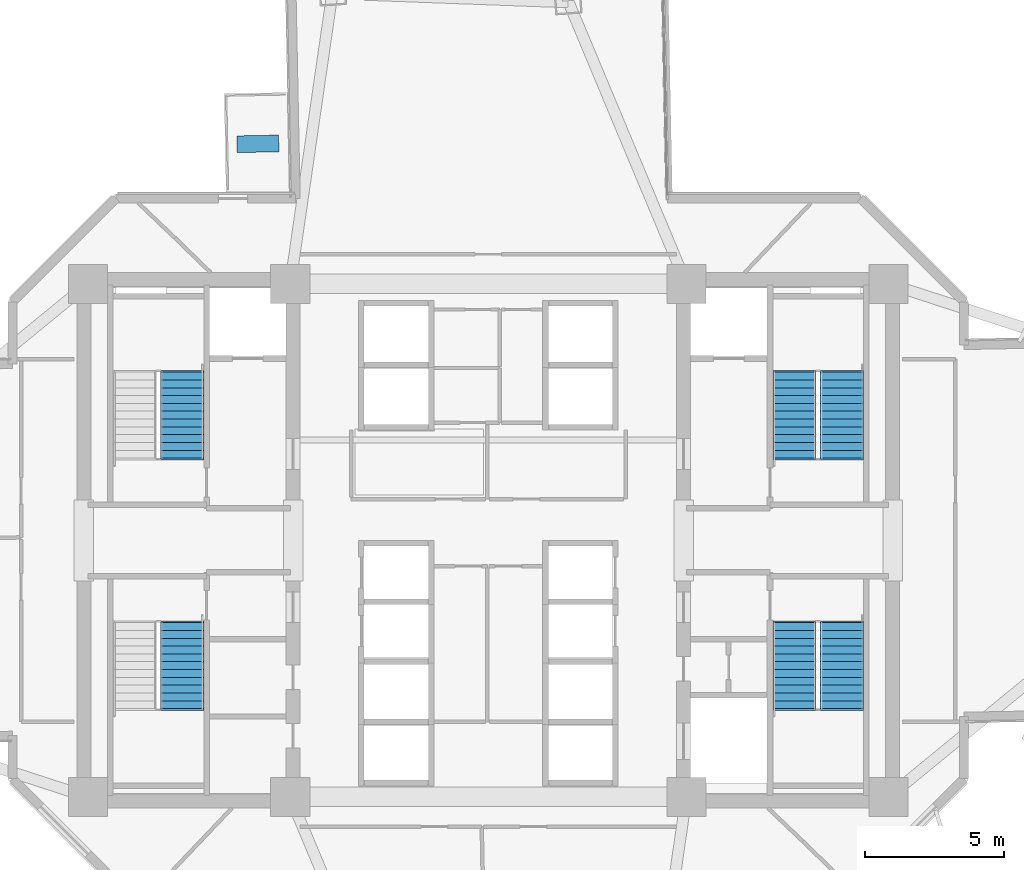
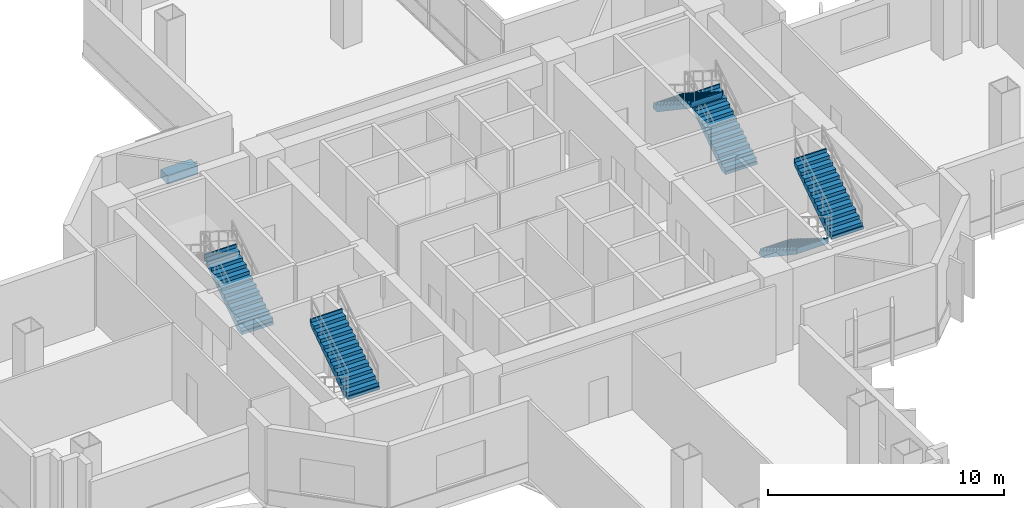
# One storey, part 10 of 15: 6 stair flights, 1 discrete accessory, 4 elements without a shape of their own.
"""IFC4 building model written with IfcOpenShell, lengths in metres."""

from ifc_helpers import new_model, si_unit, direction, frame, origin, origin_2d, place, context, subcontext, project, spatial, polyline, rectangle, outline, extrude, source, transform, mapped, material, type_object, element, aggregate, save


model = new_model("IFC4")

# Units and contexts
model_context = context("Model", 3, precision=1e-05, world=origin(), true_north=direction((0.0, 1.0)))
body_context = subcontext(model_context, "Body", "Model", "MODEL_VIEW")
ifc_project = project(units=[si_unit("LENGTHUNIT", "METRE"), si_unit("AREAUNIT", "SQUARE_METRE"), si_unit("VOLUMEUNIT", "CUBIC_METRE"), si_unit("PLANEANGLEUNIT", "RADIAN"), si_unit("MASSUNIT", "GRAM", prefix="KILO")], contexts=[model_context])

# Site, building, storey
site_placement = place(None, origin())
site = spatial("IfcSite", under=ifc_project, at=site_placement, CompositionType="ELEMENT")
building_placement = place(site_placement, origin())
building = spatial("IfcBuilding", under=site, at=building_placement, Name="Zahravan Cultural Tower", CompositionType="ELEMENT")
storey_placement = place(building_placement, frame((0.0, 0.0, 41.699951171875)))
storey = spatial("IfcBuildingStorey", under=building, at=storey_placement, Name="L08", CompositionType="ELEMENT", Elevation=41.699951171875)

# Stair, stair flight
ifc_material_1 = material(Name="Concrete C45/55", Category="concrete")
stair_type = type_object("IfcStairType", Name="STR-DL-1550-420", PredefinedType="HALF_TURN_STAIR", material=ifc_material_1)
stair_1_placement = place(storey_placement, origin())
stair_1 = element("IfcStair", 1, at=stair_1_placement, inside=storey, type_object=stair_type, Name="L08 West Core North Exit Stair ST-W1", PredefinedType="HALF_TURN_STAIR")
stair_flight_type = type_object("IfcStairFlightType", Name="FLG-DL-1550-420", PredefinedType="STRAIGHT", material=ifc_material_1)
stair_flight_1_placement = place(storey_placement, frame((25.02490234375, 29.949951171875, 0.0), z_axis=(0.0, 0.0, 1.0), x_axis=(0.0, 1.0, 0.0)))
stair_flight_1 = element("IfcStairFlight", 2, at=stair_flight_1_placement, type_object=stair_flight_type, Name="ST-W1 flight 1", NumberOfRisers=12, NumberOfTreads=11, PredefinedType="STRAIGHT", RiserHeight=0.175, TreadLength=0.28, context=body_context, shape_type="SweptSolid", body=[
    extrude(outline(polyline([(-0.06494140625, -0.139892578125), (-0.06494140625, 0.0), (0.0, 0.0), (0.0, 0.175048828125), (0.280029296875, 0.175048828125), (0.280029296875, 0.35009765625), (0.56005859375, 0.35009765625), (0.56005859375, 0.52490234375), (0.840087890625, 0.52490234375), (0.840087890625, 0.699951171875), (1.1201171875, 0.699951171875), (1.1201171875, 0.875), (1.39990234375, 0.875), (1.39990234375, 1.050048828125), (1.679931640625, 1.050048828125), (1.679931640625, 1.22509765625), (1.9599609375, 1.22509765625), (1.9599609375, 1.39990234375), (2.239990234375, 1.39990234375), (2.239990234375, 1.574951171875), (2.52001953125, 1.574951171875), (2.52001953125, 1.75), (2.800048828125, 1.75), (2.800048828125, 1.925048828125), (3.080078125, 1.925048828125), (3.080078125, 2.10009765625), (3.14501953125, 2.10009765625), (3.14501953125, 1.9501953125), (3.080078125, 1.748291015625), (0.28271484375, -0.139892578125), (-0.06494140625, -0.139892578125)])), frame((0.0, 0.77490234375, 0.0), z_axis=(0.0, -1.0, 0.0), x_axis=(1.0, 0.0, 0.0)), (0.0, 0.0, 1.0), 1.550048828125),
])
aggregate(stair_1, [stair_flight_1])

stair_2_placement = place(storey_placement, origin())
stair_2 = element("IfcStair", 3, at=stair_2_placement, inside=storey, type_object=stair_type, Name="L08 West Core South Exit Stair ST-W2", PredefinedType="HALF_TURN_STAIR")
stair_flight_2_placement = place(storey_placement, frame((25.02490234375, 20.969970703125, 2.10009765625), z_axis=(0.0, 0.0, 1.0), x_axis=(0.0, 1.0, 0.0)))
stair_flight_2 = element("IfcStairFlight", 4, at=stair_flight_2_placement, type_object=stair_flight_type, Name="ST-W2 flight 2", NumberOfRisers=12, NumberOfTreads=11, PredefinedType="STRAIGHT", RiserHeight=0.175, TreadLength=0.28, context=body_context, shape_type="SweptSolid", body=[
    extrude(outline(polyline([(-0.06494140625, -0.139892578125), (-0.06494140625, 0.0), (0.0, 0.0), (0.0, 0.175048828125), (0.280029296875, 0.175048828125), (0.280029296875, 0.35009765625), (0.56005859375, 0.35009765625), (0.56005859375, 0.52490234375), (0.840087890625, 0.52490234375), (0.840087890625, 0.699951171875), (1.1201171875, 0.699951171875), (1.1201171875, 0.875), (1.39990234375, 0.875), (1.39990234375, 1.050048828125), (1.679931640625, 1.050048828125), (1.679931640625, 1.22509765625), (1.9599609375, 1.22509765625), (1.9599609375, 1.39990234375), (2.239990234375, 1.39990234375), (2.239990234375, 1.574951171875), (2.52001953125, 1.574951171875), (2.52001953125, 1.75), (2.800048828125, 1.75), (2.800048828125, 1.925048828125), (3.080078125, 1.925048828125), (3.080078125, 2.10009765625), (3.14501953125, 2.10009765625), (3.14501953125, 1.9501953125), (3.080078125, 1.748291015625), (0.28271484375, -0.139892578125), (-0.06494140625, -0.139892578125)])), frame((0.0, 0.77490234375, 0.0), z_axis=(0.0, -1.0, 0.0), x_axis=(1.0, 0.0, 0.0)), (0.0, 0.0, 1.0), 1.550048828125),
])
aggregate(stair_2, [stair_flight_2])

# Stair, stair flights
stair_3_placement = place(storey_placement, origin())
stair_3 = element("IfcStair", 5, at=stair_3_placement, inside=storey, type_object=stair_type, Name="L08 East Core North Exit Stair ST-E1", PredefinedType="HALF_TURN_STAIR")
stair_flight_3_placement = place(storey_placement, frame((48.675048828125, 29.949951171875, 0.0), z_axis=(0.0, 0.0, 1.0), x_axis=(0.0, 1.0, 0.0)))
stair_flight_3 = element("IfcStairFlight", 6, at=stair_flight_3_placement, type_object=stair_flight_type, Name="ST-E1 flight 1", NumberOfRisers=12, NumberOfTreads=11, PredefinedType="STRAIGHT", RiserHeight=0.175, TreadLength=0.28, context=body_context, shape_type="SweptSolid", body=[
    extrude(outline(polyline([(-0.06494140625, -0.139892578125), (-0.06494140625, 0.0), (0.0, 0.0), (0.0, 0.175048828125), (0.280029296875, 0.175048828125), (0.280029296875, 0.35009765625), (0.56005859375, 0.35009765625), (0.56005859375, 0.52490234375), (0.840087890625, 0.52490234375), (0.840087890625, 0.699951171875), (1.1201171875, 0.699951171875), (1.1201171875, 0.875), (1.39990234375, 0.875), (1.39990234375, 1.050048828125), (1.679931640625, 1.050048828125), (1.679931640625, 1.22509765625), (1.9599609375, 1.22509765625), (1.9599609375, 1.39990234375), (2.239990234375, 1.39990234375), (2.239990234375, 1.574951171875), (2.52001953125, 1.574951171875), (2.52001953125, 1.75), (2.800048828125, 1.75), (2.800048828125, 1.925048828125), (3.080078125, 1.925048828125), (3.080078125, 2.10009765625), (3.14501953125, 2.10009765625), (3.14501953125, 1.9501953125), (3.080078125, 1.748291015625), (0.28271484375, -0.139892578125), (-0.06494140625, -0.139892578125)])), frame((0.0, 0.77490234375, 0.0), z_axis=(0.0, -1.0, 0.0), x_axis=(1.0, 0.0, 0.0)), (0.0, 0.0, 1.0), 1.550048828125),
])
stair_flight_4_placement = place(storey_placement, frame((46.97509765625, 33.030029296875, 2.10009765625), z_axis=(0.0, 0.0, 1.0), x_axis=(0.0, -1.0, 0.0)))
stair_flight_4 = element("IfcStairFlight", 7, at=stair_flight_4_placement, type_object=stair_flight_type, Name="ST-E1 flight 2", NumberOfRisers=12, NumberOfTreads=11, PredefinedType="STRAIGHT", RiserHeight=0.175, TreadLength=0.28, context=body_context, shape_type="SweptSolid", body=[
    extrude(outline(polyline([(-0.06494140625, -0.139892578125), (-0.06494140625, 0.0), (0.0, 0.0), (0.0, 0.175048828125), (0.280029296875, 0.175048828125), (0.280029296875, 0.35009765625), (0.56005859375, 0.35009765625), (0.56005859375, 0.52490234375), (0.840087890625, 0.52490234375), (0.840087890625, 0.699951171875), (1.1201171875, 0.699951171875), (1.1201171875, 0.875), (1.39990234375, 0.875), (1.39990234375, 1.050048828125), (1.679931640625, 1.050048828125), (1.679931640625, 1.22509765625), (1.9599609375, 1.22509765625), (1.9599609375, 1.39990234375), (2.239990234375, 1.39990234375), (2.239990234375, 1.574951171875), (2.52001953125, 1.574951171875), (2.52001953125, 1.75), (2.800048828125, 1.75), (2.800048828125, 1.925048828125), (3.080078125, 1.925048828125), (3.080078125, 2.10009765625), (3.14501953125, 2.10009765625), (3.14501953125, 1.9501953125), (3.080078125, 1.748291015625), (0.28271484375, -0.139892578125), (-0.06494140625, -0.139892578125)])), frame((0.0, 0.77490234375, 0.0), z_axis=(0.0, -1.0, 0.0), x_axis=(1.0, 0.0, 0.0)), (0.0, 0.0, 1.0), 1.550048828125),
])
aggregate(stair_3, [stair_flight_3, stair_flight_4])

stair_4_placement = place(storey_placement, origin())
stair_4 = element("IfcStair", 8, at=stair_4_placement, inside=storey, type_object=stair_type, Name="L08 East Core South Exit Stair ST-E2", PredefinedType="HALF_TURN_STAIR")
stair_flight_5_placement = place(storey_placement, frame((46.97509765625, 24.050048828125, 0.0), z_axis=(0.0, 0.0, 1.0), x_axis=(0.0, -1.0, 0.0)))
stair_flight_5 = element("IfcStairFlight", 9, at=stair_flight_5_placement, type_object=stair_flight_type, Name="ST-E2 flight 1", NumberOfRisers=12, NumberOfTreads=11, PredefinedType="STRAIGHT", RiserHeight=0.175, TreadLength=0.28, context=body_context, shape_type="SweptSolid", body=[
    extrude(outline(polyline([(-0.06494140625, -0.139892578125), (-0.06494140625, 0.0), (0.0, 0.0), (0.0, 0.175048828125), (0.280029296875, 0.175048828125), (0.280029296875, 0.35009765625), (0.56005859375, 0.35009765625), (0.56005859375, 0.52490234375), (0.840087890625, 0.52490234375), (0.840087890625, 0.699951171875), (1.1201171875, 0.699951171875), (1.1201171875, 0.875), (1.39990234375, 0.875), (1.39990234375, 1.050048828125), (1.679931640625, 1.050048828125), (1.679931640625, 1.22509765625), (1.9599609375, 1.22509765625), (1.9599609375, 1.39990234375), (2.239990234375, 1.39990234375), (2.239990234375, 1.574951171875), (2.52001953125, 1.574951171875), (2.52001953125, 1.75), (2.800048828125, 1.75), (2.800048828125, 1.925048828125), (3.080078125, 1.925048828125), (3.080078125, 2.10009765625), (3.14501953125, 2.10009765625), (3.14501953125, 1.9501953125), (3.080078125, 1.748291015625), (0.28271484375, -0.139892578125), (-0.06494140625, -0.139892578125)])), frame((0.0, 0.77490234375, 0.0), z_axis=(0.0, -1.0, 0.0), x_axis=(1.0, 0.0, 0.0)), (0.0, 0.0, 1.0), 1.550048828125),
])
stair_flight_6_placement = place(storey_placement, frame((48.675048828125, 20.969970703125, 2.10009765625), z_axis=(0.0, 0.0, 1.0), x_axis=(0.0, 1.0, 0.0)))
stair_flight_6 = element("IfcStairFlight", 10, at=stair_flight_6_placement, type_object=stair_flight_type, Name="ST-E2 flight 2", NumberOfRisers=12, NumberOfTreads=11, PredefinedType="STRAIGHT", RiserHeight=0.175, TreadLength=0.28, context=body_context, shape_type="SweptSolid", body=[
    extrude(outline(polyline([(-0.06494140625, -0.139892578125), (-0.06494140625, 0.0), (0.0, 0.0), (0.0, 0.175048828125), (0.280029296875, 0.175048828125), (0.280029296875, 0.35009765625), (0.56005859375, 0.35009765625), (0.56005859375, 0.52490234375), (0.840087890625, 0.52490234375), (0.840087890625, 0.699951171875), (1.1201171875, 0.699951171875), (1.1201171875, 0.875), (1.39990234375, 0.875), (1.39990234375, 1.050048828125), (1.679931640625, 1.050048828125), (1.679931640625, 1.22509765625), (1.9599609375, 1.22509765625), (1.9599609375, 1.39990234375), (2.239990234375, 1.39990234375), (2.239990234375, 1.574951171875), (2.52001953125, 1.574951171875), (2.52001953125, 1.75), (2.800048828125, 1.75), (2.800048828125, 1.925048828125), (3.080078125, 1.925048828125), (3.080078125, 2.10009765625), (3.14501953125, 2.10009765625), (3.14501953125, 1.9501953125), (3.080078125, 1.748291015625), (0.28271484375, -0.139892578125), (-0.06494140625, -0.139892578125)])), frame((0.0, 0.77490234375, 0.0), z_axis=(0.0, -1.0, 0.0), x_axis=(1.0, 0.0, 0.0)), (0.0, 0.0, 1.0), 1.550048828125),
])
aggregate(stair_4, [stair_flight_5, stair_flight_6])

# Discrete accessory
ifc_material_2 = material(Name="Planted soil and terracotta planter", Category="masonry")
discrete_accessory_type = type_object("IfcDiscreteAccessoryType", Name="ACC-PLANTER-TC", PredefinedType="USERDEFINED", material=ifc_material_2)
shared_shape = source(origin(), body_context, "Body", "SweptSolid", [
    extrude(rectangle(XDim=1.5, YDim=0.60009765625, at=origin_2d()), origin(), (0.0, 0.0, 1.0), 0.419921875),
])
discrete_accessory_placement = place(storey_placement, frame((27.738037109375, 41.21728515625, 0.0), z_axis=(0.0, 0.0, 1.0), x_axis=(0.999802066131, 0.019895440708, 0.0)))
element("IfcDiscreteAccessory", 11, at=discrete_accessory_placement, inside=storey, type_object=discrete_accessory_type, Name="L08 Terracotta Sculpture Planter NW", ObjectType="PLANTER", PredefinedType="USERDEFINED", context=body_context, shape_type="MappedRepresentation", body=[
    mapped(shared_shape, transform((0.0, 0.0, 0.0), x_axis=(1.0, 0.0, 0.0), y_axis=(0.0, 1.0, 0.0), z_axis=(0.0, 0.0, 1.0), scale=1.0)),
])

save(model, "model.ifc")
